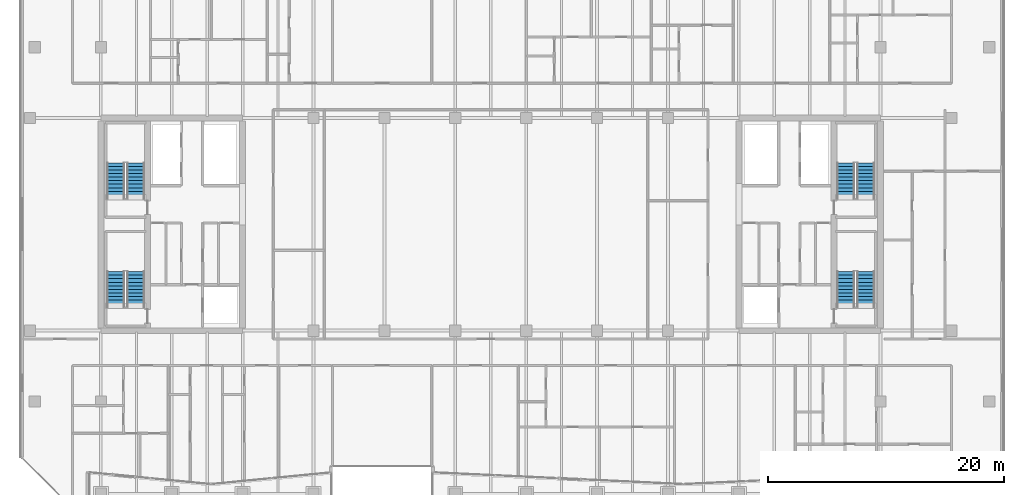
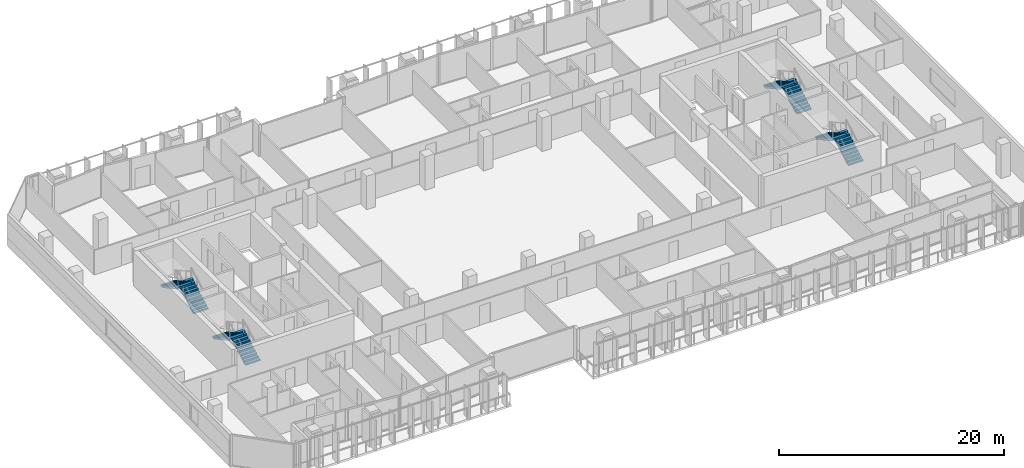
# One storey, part 33 of 39: 8 stair flights, 4 elements without a shape of their own.
"""IFC4 building model written with IfcOpenShell, lengths in metres."""

from ifc_helpers import new_model, si_unit, direction, frame, origin, place, context, subcontext, project, spatial, polyline, outline, extrude, material, type_object, element, aggregate, save


model = new_model("IFC4")

# Units and contexts
model_context = context("Model", 3, precision=1e-05, world=origin(), true_north=direction((0.0, 1.0)))
body_context = subcontext(model_context, "Body", "Model", "MODEL_VIEW")
ifc_project = project(units=[si_unit("LENGTHUNIT", "METRE"), si_unit("AREAUNIT", "SQUARE_METRE"), si_unit("VOLUMEUNIT", "CUBIC_METRE"), si_unit("PLANEANGLEUNIT", "RADIAN"), si_unit("MASSUNIT", "GRAM", prefix="KILO")], contexts=[model_context])

# Site, building, storey
site_placement = place(None, origin())
site = spatial("IfcSite", under=ifc_project, at=site_placement, CompositionType="ELEMENT")
building_placement = place(site_placement, origin())
building = spatial("IfcBuilding", under=site, at=building_placement, Name="Tanjung Sevakor Pilgrim Tower", CompositionType="ELEMENT")
storey_placement = place(building_placement, frame((0.0, 0.0, 108.570068359375)))
storey = spatial("IfcBuildingStorey", under=building, at=storey_placement, Name="L30", CompositionType="ELEMENT", Elevation=108.570068359375)

# Stair, stair flights
ifc_material_1 = material(Name="Concrete C40/50", Category="concrete")
stair_type = type_object("IfcStairType", Name="STAIR-ST-CR150", PredefinedType="HALF_TURN_STAIR", material=ifc_material_1)
stair_1_placement = place(storey_placement, origin())
stair_1 = element("IfcStair", 1, at=stair_1_placement, inside=storey, type_object=stair_type, Name="L30 West Core Exit Stair 1", PredefinedType="HALF_TURN_STAIR")
ifc_material_2 = material(Name="Concrete C40/50", Category="concrete")
stair_flight_type = type_object("IfcStairFlightType", Name="FLIGHT-ST-CR150", PredefinedType="STRAIGHT", material=ifc_material_2)
stair_flight_1_placement = place(storey_placement, frame((26.949951171875, 26.60009765625, 0.0), z_axis=(0.0, 0.0, 1.0), x_axis=(0.0, 1.0, 0.0)))
stair_flight_1 = element("IfcStairFlight", 2, at=stair_flight_1_placement, type_object=stair_flight_type, Name="TS-W1 flight 1", NumberOfRisers=11, NumberOfTreads=10, PredefinedType="STRAIGHT", RiserHeight=0.165, TreadLength=0.3, context=body_context, shape_type="SweptSolid", body=[
    extrude(outline(polyline([(0.0, 0.0), (0.0, 0.1650390625), (0.300048828125, 0.1650390625), (0.300048828125, 0.330078125), (0.60009765625, 0.330078125), (0.60009765625, 0.4951171875), (0.89990234375, 0.4951171875), (0.89990234375, 0.659912109375), (1.199951171875, 0.659912109375), (1.199951171875, 0.824951171875), (1.5, 0.824951171875), (1.5, 0.989990234375), (1.800048828125, 0.989990234375), (1.800048828125, 1.155029296875), (2.10009765625, 1.155029296875), (2.10009765625, 1.320068359375), (2.39990234375, 1.320068359375), (2.39990234375, 1.485107421875), (2.699951171875, 1.485107421875), (2.699951171875, 1.64990234375), (3.0, 1.64990234375), (3.0, 1.81494140625), (3.0, 1.467529296875), (0.331787109375, 0.0), (0.0, 0.0)])), frame((0.0, 0.75, 0.0), z_axis=(0.0, -1.0, 0.0), x_axis=(1.0, 0.0, 0.0)), (0.0, 0.0, 1.0), 1.5),
])
stair_flight_2_placement = place(storey_placement, frame((25.25, 29.60009765625, 1.81494140625), z_axis=(0.0, 0.0, 1.0), x_axis=(0.0, -1.0, 0.0)))
stair_flight_2 = element("IfcStairFlight", 3, at=stair_flight_2_placement, type_object=stair_flight_type, Name="TS-W1 flight 2", NumberOfRisers=11, NumberOfTreads=10, PredefinedType="STRAIGHT", RiserHeight=0.165, TreadLength=0.3, context=body_context, shape_type="SweptSolid", body=[
    extrude(outline(polyline([(0.0, 0.0), (0.0, 0.1650390625), (0.300048828125, 0.1650390625), (0.300048828125, 0.330078125), (0.60009765625, 0.330078125), (0.60009765625, 0.4951171875), (0.89990234375, 0.4951171875), (0.89990234375, 0.659912109375), (1.199951171875, 0.659912109375), (1.199951171875, 0.824951171875), (1.5, 0.824951171875), (1.5, 0.989990234375), (1.800048828125, 0.989990234375), (1.800048828125, 1.155029296875), (2.10009765625, 1.155029296875), (2.10009765625, 1.320068359375), (2.39990234375, 1.320068359375), (2.39990234375, 1.485107421875), (2.699951171875, 1.485107421875), (2.699951171875, 1.64990234375), (3.0, 1.64990234375), (3.0, 1.81494140625), (3.0, 1.467529296875), (0.331787109375, 0.0), (0.0, 0.0)])), frame((0.0, 0.75, 0.0), z_axis=(0.0, -1.0, 0.0), x_axis=(1.0, 0.0, 0.0)), (0.0, 0.0, 1.0), 1.5),
])
aggregate(stair_1, [stair_flight_1, stair_flight_2])

stair_2_placement = place(storey_placement, origin())
stair_2 = element("IfcStair", 4, at=stair_2_placement, inside=storey, type_object=stair_type, Name="L30 West Core Exit Stair 2", PredefinedType="HALF_TURN_STAIR")
stair_flight_3_placement = place(storey_placement, frame((26.949951171875, 35.800048828125, 0.0), z_axis=(0.0, 0.0, 1.0), x_axis=(0.0, 1.0, 0.0)))
stair_flight_3 = element("IfcStairFlight", 5, at=stair_flight_3_placement, type_object=stair_flight_type, Name="TS-W2 flight 1", NumberOfRisers=11, NumberOfTreads=10, PredefinedType="STRAIGHT", RiserHeight=0.165, TreadLength=0.3, context=body_context, shape_type="SweptSolid", body=[
    extrude(outline(polyline([(0.0, 0.0), (0.0, 0.1650390625), (0.300048828125, 0.1650390625), (0.300048828125, 0.330078125), (0.60009765625, 0.330078125), (0.60009765625, 0.4951171875), (0.89990234375, 0.4951171875), (0.89990234375, 0.659912109375), (1.199951171875, 0.659912109375), (1.199951171875, 0.824951171875), (1.5, 0.824951171875), (1.5, 0.989990234375), (1.800048828125, 0.989990234375), (1.800048828125, 1.155029296875), (2.10009765625, 1.155029296875), (2.10009765625, 1.320068359375), (2.39990234375, 1.320068359375), (2.39990234375, 1.485107421875), (2.699951171875, 1.485107421875), (2.699951171875, 1.64990234375), (3.0, 1.64990234375), (3.0, 1.81494140625), (3.0, 1.467529296875), (0.331787109375, 0.0), (0.0, 0.0)])), frame((0.0, 0.75, 0.0), z_axis=(0.0, -1.0, 0.0), x_axis=(1.0, 0.0, 0.0)), (0.0, 0.0, 1.0), 1.5),
])
stair_flight_4_placement = place(storey_placement, frame((25.25, 38.800048828125, 1.81494140625), z_axis=(0.0, 0.0, 1.0), x_axis=(0.0, -1.0, 0.0)))
stair_flight_4 = element("IfcStairFlight", 6, at=stair_flight_4_placement, type_object=stair_flight_type, Name="TS-W2 flight 2", NumberOfRisers=11, NumberOfTreads=10, PredefinedType="STRAIGHT", RiserHeight=0.165, TreadLength=0.3, context=body_context, shape_type="SweptSolid", body=[
    extrude(outline(polyline([(0.0, 0.0), (0.0, 0.1650390625), (0.300048828125, 0.1650390625), (0.300048828125, 0.330078125), (0.60009765625, 0.330078125), (0.60009765625, 0.4951171875), (0.89990234375, 0.4951171875), (0.89990234375, 0.659912109375), (1.199951171875, 0.659912109375), (1.199951171875, 0.824951171875), (1.5, 0.824951171875), (1.5, 0.989990234375), (1.800048828125, 0.989990234375), (1.800048828125, 1.155029296875), (2.10009765625, 1.155029296875), (2.10009765625, 1.320068359375), (2.39990234375, 1.320068359375), (2.39990234375, 1.485107421875), (2.699951171875, 1.485107421875), (2.699951171875, 1.64990234375), (3.0, 1.64990234375), (3.0, 1.81494140625), (3.0, 1.467529296875), (0.331787109375, 0.0), (0.0, 0.0)])), frame((0.0, 0.75, 0.0), z_axis=(0.0, -1.0, 0.0), x_axis=(1.0, 0.0, 0.0)), (0.0, 0.0, 1.0), 1.5),
])
aggregate(stair_2, [stair_flight_3, stair_flight_4])

stair_3_placement = place(storey_placement, origin())
stair_3 = element("IfcStair", 7, at=stair_3_placement, inside=storey, type_object=stair_type, Name="L30 East Core Exit Stair 1", PredefinedType="HALF_TURN_STAIR")
stair_flight_5_placement = place(storey_placement, frame((88.75, 26.60009765625, 0.0), z_axis=(0.0, 0.0, 1.0), x_axis=(0.0, 1.0, 0.0)))
stair_flight_5 = element("IfcStairFlight", 8, at=stair_flight_5_placement, type_object=stair_flight_type, Name="TS-E1 flight 1", NumberOfRisers=11, NumberOfTreads=10, PredefinedType="STRAIGHT", RiserHeight=0.165, TreadLength=0.3, context=body_context, shape_type="SweptSolid", body=[
    extrude(outline(polyline([(0.0, 0.0), (0.0, 0.1650390625), (0.300048828125, 0.1650390625), (0.300048828125, 0.330078125), (0.60009765625, 0.330078125), (0.60009765625, 0.4951171875), (0.89990234375, 0.4951171875), (0.89990234375, 0.659912109375), (1.199951171875, 0.659912109375), (1.199951171875, 0.824951171875), (1.5, 0.824951171875), (1.5, 0.989990234375), (1.800048828125, 0.989990234375), (1.800048828125, 1.155029296875), (2.10009765625, 1.155029296875), (2.10009765625, 1.320068359375), (2.39990234375, 1.320068359375), (2.39990234375, 1.485107421875), (2.699951171875, 1.485107421875), (2.699951171875, 1.64990234375), (3.0, 1.64990234375), (3.0, 1.81494140625), (3.0, 1.467529296875), (0.331787109375, 0.0), (0.0, 0.0)])), frame((0.0, 0.75, 0.0), z_axis=(0.0, -1.0, 0.0), x_axis=(1.0, 0.0, 0.0)), (0.0, 0.0, 1.0), 1.5),
])
stair_flight_6_placement = place(storey_placement, frame((87.050048828125, 29.60009765625, 1.81494140625), z_axis=(0.0, 0.0, 1.0), x_axis=(0.0, -1.0, 0.0)))
stair_flight_6 = element("IfcStairFlight", 9, at=stair_flight_6_placement, type_object=stair_flight_type, Name="TS-E1 flight 2", NumberOfRisers=11, NumberOfTreads=10, PredefinedType="STRAIGHT", RiserHeight=0.165, TreadLength=0.3, context=body_context, shape_type="SweptSolid", body=[
    extrude(outline(polyline([(0.0, 0.0), (0.0, 0.1650390625), (0.300048828125, 0.1650390625), (0.300048828125, 0.330078125), (0.60009765625, 0.330078125), (0.60009765625, 0.4951171875), (0.89990234375, 0.4951171875), (0.89990234375, 0.659912109375), (1.199951171875, 0.659912109375), (1.199951171875, 0.824951171875), (1.5, 0.824951171875), (1.5, 0.989990234375), (1.800048828125, 0.989990234375), (1.800048828125, 1.155029296875), (2.10009765625, 1.155029296875), (2.10009765625, 1.320068359375), (2.39990234375, 1.320068359375), (2.39990234375, 1.485107421875), (2.699951171875, 1.485107421875), (2.699951171875, 1.64990234375), (3.0, 1.64990234375), (3.0, 1.81494140625), (3.0, 1.467529296875), (0.331787109375, 0.0), (0.0, 0.0)])), frame((0.0, 0.75, 0.0), z_axis=(0.0, -1.0, 0.0), x_axis=(1.0, 0.0, 0.0)), (0.0, 0.0, 1.0), 1.5),
])
aggregate(stair_3, [stair_flight_5, stair_flight_6])

stair_4_placement = place(storey_placement, origin())
stair_4 = element("IfcStair", 10, at=stair_4_placement, inside=storey, type_object=stair_type, Name="L30 East Core Exit Stair 2", PredefinedType="HALF_TURN_STAIR")
stair_flight_7_placement = place(storey_placement, frame((88.75, 35.800048828125, 0.0), z_axis=(0.0, 0.0, 1.0), x_axis=(0.0, 1.0, 0.0)))
stair_flight_7 = element("IfcStairFlight", 11, at=stair_flight_7_placement, type_object=stair_flight_type, Name="TS-E2 flight 1", NumberOfRisers=11, NumberOfTreads=10, PredefinedType="STRAIGHT", RiserHeight=0.165, TreadLength=0.3, context=body_context, shape_type="SweptSolid", body=[
    extrude(outline(polyline([(0.0, 0.0), (0.0, 0.1650390625), (0.300048828125, 0.1650390625), (0.300048828125, 0.330078125), (0.60009765625, 0.330078125), (0.60009765625, 0.4951171875), (0.89990234375, 0.4951171875), (0.89990234375, 0.659912109375), (1.199951171875, 0.659912109375), (1.199951171875, 0.824951171875), (1.5, 0.824951171875), (1.5, 0.989990234375), (1.800048828125, 0.989990234375), (1.800048828125, 1.155029296875), (2.10009765625, 1.155029296875), (2.10009765625, 1.320068359375), (2.39990234375, 1.320068359375), (2.39990234375, 1.485107421875), (2.699951171875, 1.485107421875), (2.699951171875, 1.64990234375), (3.0, 1.64990234375), (3.0, 1.81494140625), (3.0, 1.467529296875), (0.331787109375, 0.0), (0.0, 0.0)])), frame((0.0, 0.75, 0.0), z_axis=(0.0, -1.0, 0.0), x_axis=(1.0, 0.0, 0.0)), (0.0, 0.0, 1.0), 1.5),
])
stair_flight_8_placement = place(storey_placement, frame((87.050048828125, 38.800048828125, 1.81494140625), z_axis=(0.0, 0.0, 1.0), x_axis=(0.0, -1.0, 0.0)))
stair_flight_8 = element("IfcStairFlight", 12, at=stair_flight_8_placement, type_object=stair_flight_type, Name="TS-E2 flight 2", NumberOfRisers=11, NumberOfTreads=10, PredefinedType="STRAIGHT", RiserHeight=0.165, TreadLength=0.3, context=body_context, shape_type="SweptSolid", body=[
    extrude(outline(polyline([(0.0, 0.0), (0.0, 0.1650390625), (0.300048828125, 0.1650390625), (0.300048828125, 0.330078125), (0.60009765625, 0.330078125), (0.60009765625, 0.4951171875), (0.89990234375, 0.4951171875), (0.89990234375, 0.659912109375), (1.199951171875, 0.659912109375), (1.199951171875, 0.824951171875), (1.5, 0.824951171875), (1.5, 0.989990234375), (1.800048828125, 0.989990234375), (1.800048828125, 1.155029296875), (2.10009765625, 1.155029296875), (2.10009765625, 1.320068359375), (2.39990234375, 1.320068359375), (2.39990234375, 1.485107421875), (2.699951171875, 1.485107421875), (2.699951171875, 1.64990234375), (3.0, 1.64990234375), (3.0, 1.81494140625), (3.0, 1.467529296875), (0.331787109375, 0.0), (0.0, 0.0)])), frame((0.0, 0.75, 0.0), z_axis=(0.0, -1.0, 0.0), x_axis=(1.0, 0.0, 0.0)), (0.0, 0.0, 1.0), 1.5),
])
aggregate(stair_4, [stair_flight_7, stair_flight_8])

save(model, "model.ifc")
